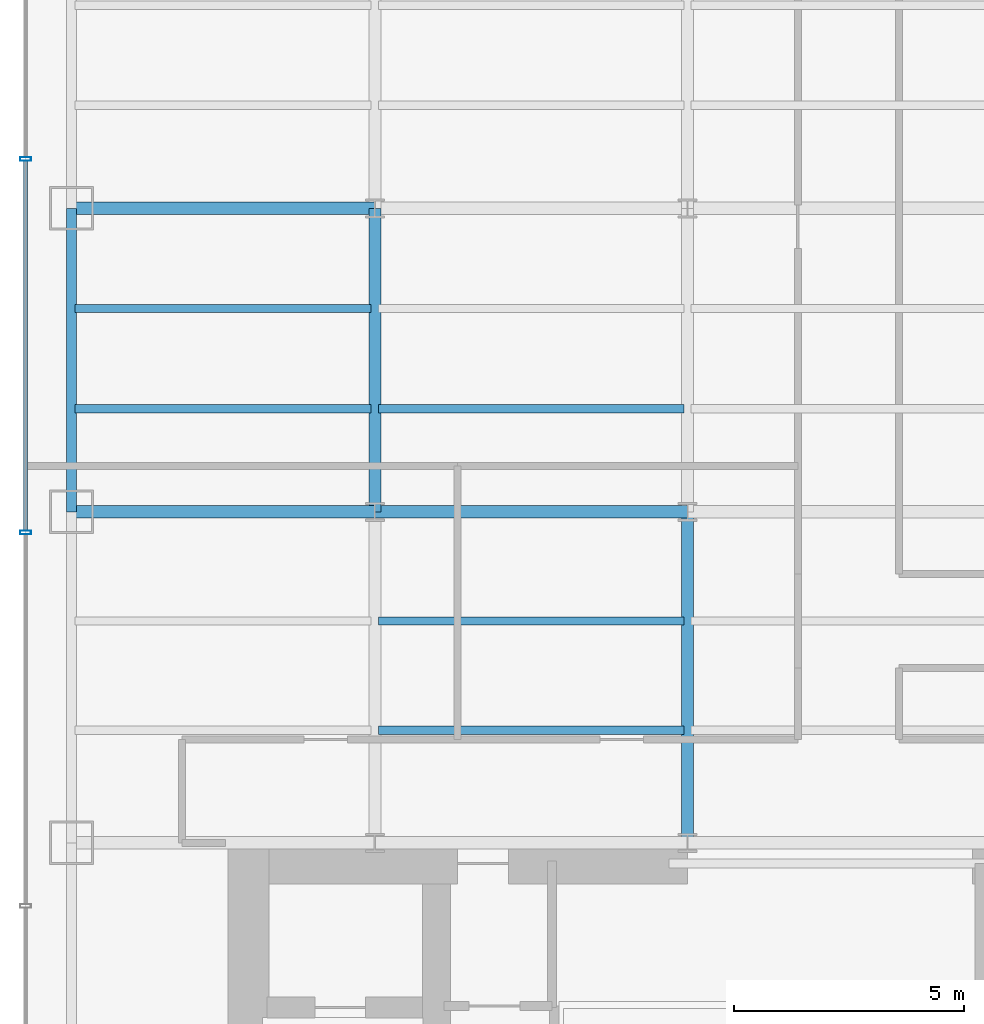
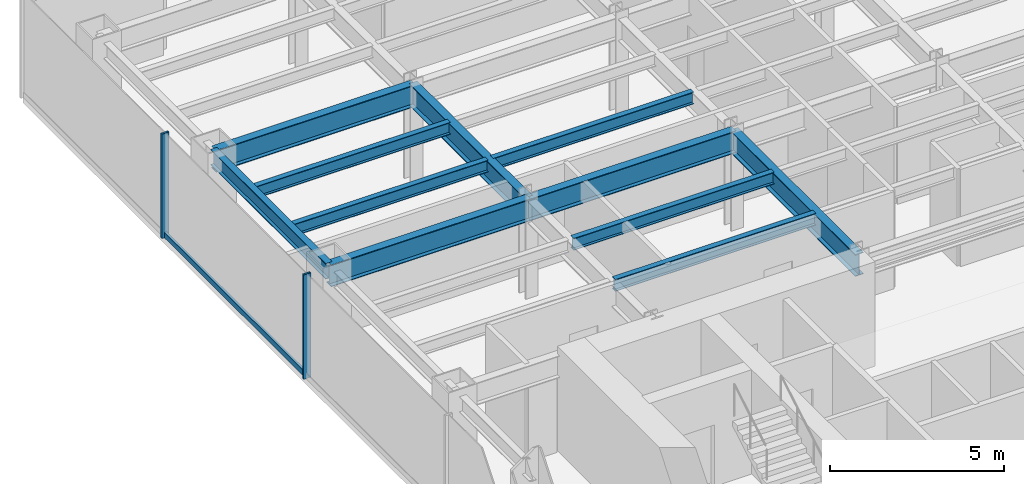
# One storey, part 4 of 22: 11 beams, 3 members, 1 element without a shape of its own.
"""IFC4 building model written with IfcOpenShell, lengths in metres."""

from ifc_helpers import new_model, si_unit, derived_unit, direction, frame, origin, origin_2d, place, context, subcontext, project, spatial, hollow_rectangle, i_section, extrude, source, transform, mapped, material, material_profile, profile_set, type_object, element, aggregate, save


model = new_model("IFC4")

# Units and contexts
model_context = context("Model", 3, precision=1e-05, world=origin(), true_north=direction((0.0, 1.0)))
body_context = subcontext(model_context, "Body", "Model", "MODEL_VIEW")
ifc_project = project(units=[si_unit("LENGTHUNIT", "METRE"), si_unit("AREAUNIT", "SQUARE_METRE"), si_unit("VOLUMEUNIT", "CUBIC_METRE"), si_unit("PLANEANGLEUNIT", "RADIAN"), si_unit("MASSUNIT", "GRAM", prefix="KILO"), derived_unit("THERMALTRANSMITTANCEUNIT", [(si_unit("POWERUNIT", "WATT"), 1), (si_unit("LENGTHUNIT", "METRE"), -2), (si_unit("THERMODYNAMICTEMPERATUREUNIT", "KELVIN"), -1)])], contexts=[model_context])

# Site, building, storey
site_placement = place(None, origin())
site = spatial("IfcSite", under=ifc_project, at=site_placement, CompositionType="ELEMENT")
building_placement = place(site_placement, origin())
building = spatial("IfcBuilding", under=site, at=building_placement, Name="Skarnbrae Concourse Arena and Tower", CompositionType="ELEMENT")
storey_placement = place(building_placement, frame((0.0, 0.0, 58.050048828125)))
storey = spatial("IfcBuildingStorey", under=building, at=storey_placement, Name="L13", CompositionType="ELEMENT", Elevation=58.050048828125)

# Beams
ifc_material_1 = material(Name="Steel CSA G40.21 350W", Category="steel")
ifc_material_profile_1 = material_profile(ifc_material_1, i_section(OverallWidth=0.26806640625, OverallDepth=0.77001953125, WebThickness=0.015625, FlangeThickness=0.025390625, at=origin_2d()), Name="W760X196")
ifc_profile_set_1 = profile_set([ifc_material_profile_1], Name="Steel CSA G40.21 350W")
beam_type_1 = type_object("IfcBeamType", Name="BM-GIRD-W760X196", PredefinedType="BEAM", material=ifc_profile_set_1)
shared_shape_1 = source(origin(), body_context, "Body", "SweptSolid", [
    extrude(i_section(OverallWidth=0.26806640625, OverallDepth=0.77001953125, WebThickness=0.015625, FlangeThickness=0.025390625, at=origin_2d()), origin(), (0.0, 0.0, 1.0), 6.60009765625),
])
for number, where, z_axis, x_axis, name in (
    (1, (1.0, 21.199951171875, 3.014892578125), (1.0, 0.0, 0.0), (0.0, 1.0, 0.0), "L13 Primary E-W girder Y21.2-1"),
    (2, (1.0, 27.800048828125, 3.014892578125), (1.0, 0.0, 0.0), (0.0, 1.0, 0.0), "L13 Primary E-W girder Y27.8-1"),
    (3, (7.60009765625, 21.199951171875, 3.014892578125), (0.0, 1.0, 0.0), (-1.0, 0.0, 0.0), "L13 Primary N-S girder X7.6-2"),
):
    element("IfcBeam", number, at=place(storey_placement, frame(where, z_axis=z_axis, x_axis=x_axis)), inside=storey, type_object=beam_type_1, Name=name, PredefinedType="BEAM", context=body_context, shape_type="MappedRepresentation", body=[
        mapped(shared_shape_1, transform((0.0, 0.0, 0.0))),
    ])
shared_shape_2 = source(origin(), body_context, "Body", "SweptSolid", [
    extrude(i_section(OverallWidth=0.26806640625, OverallDepth=0.77001953125, WebThickness=0.015625, FlangeThickness=0.025390625, at=origin_2d()), origin(), (0.0, 0.0, 1.0), 6.7998046875),
])
beam_1_placement = place(storey_placement, frame((7.60009765625, 21.199951171875, 3.014892578125), z_axis=(1.0, 0.0, 0.0), x_axis=(0.0, 1.0, 0.0)))
element("IfcBeam", 4, at=beam_1_placement, inside=storey, type_object=beam_type_1, Name="L13 Primary E-W girder Y21.2-2", PredefinedType="BEAM", context=body_context, shape_type="MappedRepresentation", body=[
    mapped(shared_shape_2, transform((0.0, 0.0, 0.0))),
])
ifc_material_profile_2 = material_profile(ifc_material_1, i_section(OverallWidth=0.214111328125, OverallDepth=0.549072265625, WebThickness=0.0146484375, FlangeThickness=0.023681640625, at=origin_2d()), Name="W530X138")
ifc_profile_set_2 = profile_set([ifc_material_profile_2], Name="Steel CSA G40.21 350W")
beam_type_2 = type_object("IfcBeamType", Name="BM-SPAN-W530X138", PredefinedType="SPANDREL", material=ifc_profile_set_2)
shared_shape_3 = source(origin(), body_context, "Body", "SweptSolid", [
    extrude(i_section(OverallWidth=0.214111328125, OverallDepth=0.549072265625, WebThickness=0.0146484375, FlangeThickness=0.023681640625, at=origin_2d()), origin(), (0.0, 0.0, 1.0), 6.60009765625),
])
beam_2_placement = place(storey_placement, frame((1.0, 21.199951171875, 3.12548828125), z_axis=(0.0, 1.0, 0.0), x_axis=(-1.0, 0.0, 0.0)))
element("IfcBeam", 5, at=beam_2_placement, inside=storey, type_object=beam_type_2, Name="L13 Perimeter spandrel X1.0-3", PredefinedType="SPANDREL", context=body_context, shape_type="MappedRepresentation", body=[
    mapped(shared_shape_3, transform((0.0, 0.0, 0.0))),
])
shared_shape_4 = source(origin(), body_context, "Body", "SweptSolid", [
    extrude(i_section(OverallWidth=0.26806640625, OverallDepth=0.77001953125, WebThickness=0.015625, FlangeThickness=0.025390625, at=origin_2d()), origin(), (0.0, 0.0, 1.0), 7.199951171875),
])
beam_3_placement = place(storey_placement, frame((14.39990234375, 14.0, 3.014892578125), z_axis=(0.0, 1.0, 0.0), x_axis=(-1.0, 0.0, 0.0)))
element("IfcBeam", 6, at=beam_3_placement, inside=storey, type_object=beam_type_1, Name="L13 Primary N-S girder X14.4-1", PredefinedType="BEAM", context=body_context, shape_type="MappedRepresentation", body=[
    mapped(shared_shape_4, transform((0.0, 0.0, 0.0))),
])
ifc_material_profile_3 = material_profile(ifc_material_1, i_section(OverallWidth=0.180908203125, OverallDepth=0.4169921875, WebThickness=0.010986328125, FlangeThickness=0.018310546875, at=origin_2d()), Name="W410X85")
ifc_profile_set_3 = profile_set([ifc_material_profile_3], Name="Steel CSA G40.21 350W")
beam_type_3 = type_object("IfcBeamType", Name="BM-JOIST-W410X85", PredefinedType="JOIST", material=ifc_profile_set_3)
shared_shape_5 = source(origin(), body_context, "Body", "SweptSolid", [
    extrude(i_section(OverallWidth=0.180908203125, OverallDepth=0.4169921875, WebThickness=0.010986328125, FlangeThickness=0.018310546875, at=origin_2d()), origin(), (0.0, 0.0, 1.0), 6.43994140625),
])
for number, where, z_axis, x_axis, name in (
    (7, (1.080078125, 23.444091796875, 3.19140625), (1.0, 0.0, 0.0), (0.0, 1.0, 0.0), "L13 Secondary floor joist 2.1.1"),
    (8, (1.080078125, 25.6220703125, 3.19140625), (1.0, 0.0, 0.0), (0.0, 1.0, 0.0), "L13 Secondary floor joist 2.2.1"),
):
    element("IfcBeam", number, at=place(storey_placement, frame(where, z_axis=z_axis, x_axis=x_axis)), inside=storey, type_object=beam_type_3, Name=name, PredefinedType="JOIST", context=body_context, shape_type="MappedRepresentation", body=[
        mapped(shared_shape_5, transform((0.0, 0.0, 0.0))),
    ])
shared_shape_6 = source(origin(), body_context, "Body", "SweptSolid", [
    extrude(i_section(OverallWidth=0.180908203125, OverallDepth=0.4169921875, WebThickness=0.010986328125, FlangeThickness=0.018310546875, at=origin_2d()), origin(), (0.0, 0.0, 1.0), 6.64013671875),
])
for number, where, z_axis, x_axis, name in (
    (9, (7.679931640625, 16.447998046875, 3.19140625), (1.0, 0.0, 0.0), (0.0, 1.0, 0.0), "L13 Secondary floor joist 1.1.2"),
    (10, (7.679931640625, 18.823974609375, 3.19140625), (1.0, 0.0, 0.0), (0.0, 1.0, 0.0), "L13 Secondary floor joist 1.2.2"),
    (11, (7.679931640625, 23.444091796875, 3.19140625), (1.0, 0.0, 0.0), (0.0, 1.0, 0.0), "L13 Secondary floor joist 2.1.2"),
):
    element("IfcBeam", number, at=place(storey_placement, frame(where, z_axis=z_axis, x_axis=x_axis)), inside=storey, type_object=beam_type_3, Name=name, PredefinedType="JOIST", context=body_context, shape_type="MappedRepresentation", body=[
        mapped(shared_shape_6, transform((0.0, 0.0, 0.0))),
    ])

# Curtain wall, members
ifc_material_2 = material(Name="Bronze anodised aluminium 6063-T6", Category="aluminium")
curtain_wall_type = type_object("IfcCurtainWallType", Name="CW-SYS-02-LOWZONE", PredefinedType="USERDEFINED", material=ifc_material_2)
curtain_wall_placement = place(storey_placement, origin())
curtain_wall = element("IfcCurtainWall", 12, at=curtain_wall_placement, inside=storey, type_object=curtain_wall_type, Name="L13 Unitised curtain wall CW-L13-E19", ObjectType="UNITISED CURTAIN WALL", PredefinedType="USERDEFINED")
ifc_material_profile_4 = material_profile(ifc_material_2, hollow_rectangle(XDim=0.080078125, YDim=0.239990234375, WallThickness=0.0048828125, at=origin_2d()), Name="ALU-MULL-80X240")
ifc_profile_set_4 = profile_set([ifc_material_profile_4], Name="Bronze anodised aluminium 6063-T6")
member_type_1 = type_object("IfcMemberType", Name="CWM-CW-02", PredefinedType="MULLION", material=ifc_profile_set_4)
shared_shape_7 = source(origin(), body_context, "Body", "SweptSolid", [
    extrude(hollow_rectangle(XDim=0.080078125, YDim=0.239990234375, WallThickness=0.0048828125, at=origin_2d()), origin(), (0.0, 0.0, 1.0), 3.64990234375),
])
member_1_placement = place(storey_placement, frame((0.0, 28.875, 0.0), z_axis=(0.0, 0.0, 1.0), x_axis=(0.0, -1.0, 0.0)))
member_1 = element("IfcMember", 13, at=member_1_placement, type_object=member_type_1, Name="CW-L13-E19 Mullion 2", PredefinedType="MULLION", context=body_context, shape_type="MappedRepresentation", body=[
    mapped(shared_shape_7, transform((0.0, 0.0, 0.0))),
])
member_2_placement = place(storey_placement, frame((0.0, 20.75, 0.0), z_axis=(0.0, 0.0, 1.0), x_axis=(0.0, -1.0, 0.0)))
member_2 = element("IfcMember", 14, at=member_2_placement, type_object=member_type_1, Name="CW-L13-E19 Mullion 3", PredefinedType="MULLION", context=body_context, shape_type="MappedRepresentation", body=[
    mapped(shared_shape_7, transform((0.0, 0.0, 0.0))),
])
ifc_material_profile_5 = material_profile(ifc_material_2, hollow_rectangle(XDim=0.080078125, YDim=0.18994140625, WallThickness=0.0048828125, at=origin_2d()), Name="ALU-TRAN-80X190")
ifc_profile_set_5 = profile_set([ifc_material_profile_5], Name="Bronze anodised aluminium 6063-T6")
member_type_2 = type_object("IfcMemberType", Name="CWT-CW-02", PredefinedType="USERDEFINED", material=ifc_profile_set_5)
shared_shape_8 = source(origin(), body_context, "Body", "SweptSolid", [
    extrude(hollow_rectangle(XDim=0.080078125, YDim=0.18994140625, WallThickness=0.0048828125, at=origin_2d()), origin(), (0.0, 0.0, 1.0), 8.044921875),
])
member_3_placement = place(storey_placement, frame((0.0, 28.8349609375, 0.094970703125), z_axis=(0.0, -1.0, 0.0), x_axis=(1.0, 0.0, 0.0)))
member_3 = element("IfcMember", 15, at=member_3_placement, type_object=member_type_2, Name="CW-L13-E19 Transom 2", ObjectType="TRANSOM", PredefinedType="USERDEFINED", context=body_context, shape_type="MappedRepresentation", body=[
    mapped(shared_shape_8, transform((0.0, 0.0, 0.0))),
])
aggregate(curtain_wall, [member_1, member_2, member_3])

save(model, "model.ifc")
